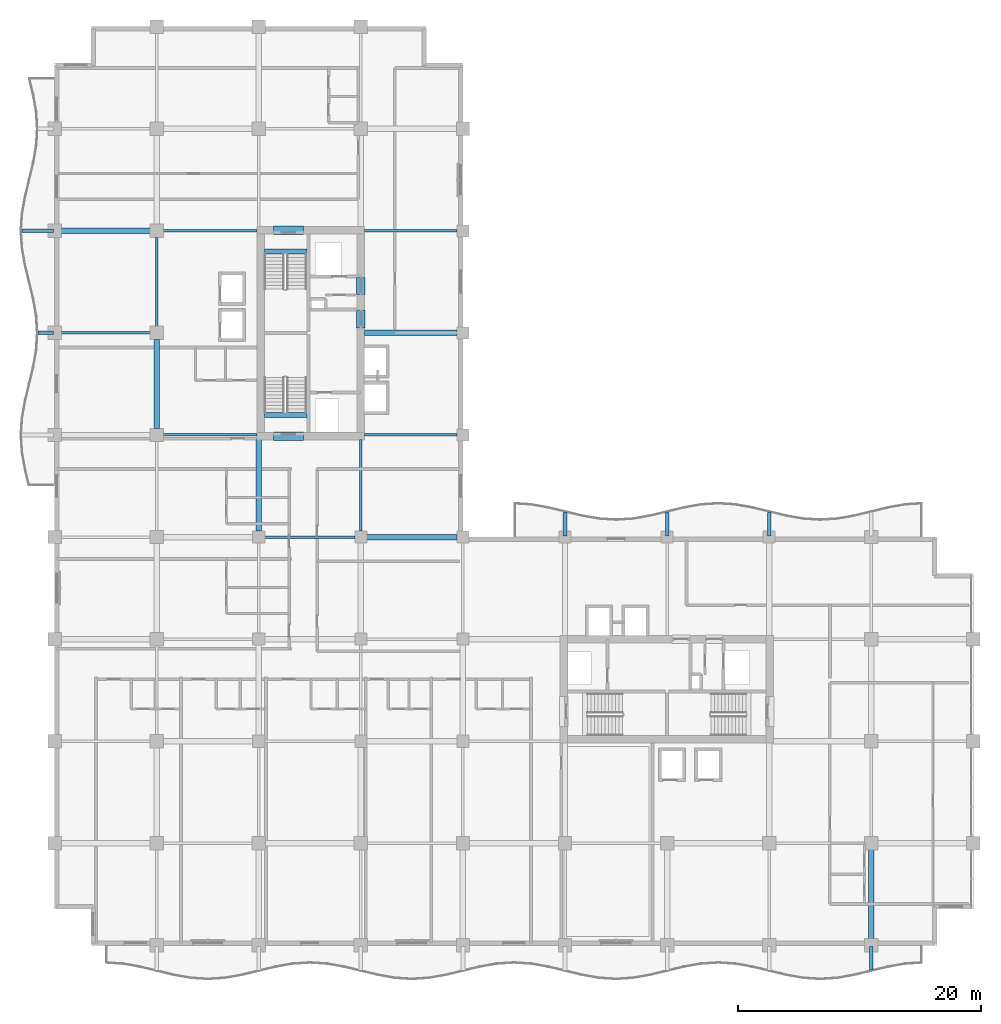
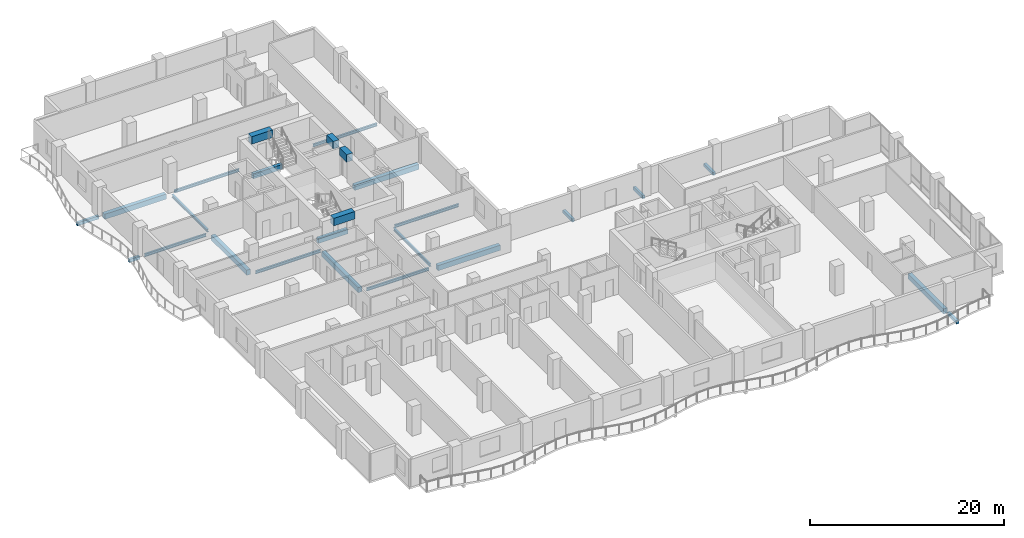
# One storey, part 2 of 21: 26 beams.
"""IFC4 building model written with IfcOpenShell, lengths in metres."""

from ifc_helpers import new_model, si_unit, direction, frame, origin, origin_2d, place, context, subcontext, project, spatial, rectangle, i_section, extrude, material, material_profile, profile_set, type_object, element, save


model = new_model("IFC4")

# Units and contexts
model_context = context("Model", 3, precision=1e-05, world=origin(), true_north=direction((0.0, 1.0)))
body_context = subcontext(model_context, "Body", "Model", "MODEL_VIEW")
ifc_project = project(units=[si_unit("LENGTHUNIT", "METRE"), si_unit("AREAUNIT", "SQUARE_METRE"), si_unit("VOLUMEUNIT", "CUBIC_METRE"), si_unit("PLANEANGLEUNIT", "RADIAN"), si_unit("MASSUNIT", "GRAM", prefix="KILO")], contexts=[model_context])

# Site, building, storey
site_placement = place(None, origin())
site = spatial("IfcSite", under=ifc_project, at=site_placement, CompositionType="ELEMENT")
building_placement = place(site_placement, origin())
building = spatial("IfcBuilding", under=site, at=building_placement, Name="Koriwani Terraces Tower", CompositionType="ELEMENT")
storey_placement = place(building_placement, frame((0.0, 0.0, 197.60009765625)))
storey = spatial("IfcBuildingStorey", under=building, at=storey_placement, Name="L48", CompositionType="ELEMENT", Elevation=197.60009765625)

# Beams
ifc_material_1 = material(Name="Concrete C40/50", Category="concrete")
ifc_material_profile_1 = material_profile(ifc_material_1, rectangle(XDim=0.300048828125, YDim=0.39990234375, at=origin_2d()), Name="Concrete C40/50", Category="LoadBearing")
ifc_profile_set_1 = profile_set([ifc_material_profile_1], Name="Concrete C40/50")
beam_type_1 = type_object("IfcBeamType", Name="BEAM_RC_BALCONY_RIB_300X400", PredefinedType="JOIST", material=ifc_profile_set_1)
beam_1_placement = place(storey_placement, frame((67.199951171875, -2.02490234375, -0.43017578125), z_axis=(0.0, 1.0, 0.0), x_axis=(-1.0, 0.0, 0.0)))
element("IfcBeam", 1, at=beam_1_placement, inside=storey, type_object=beam_type_1, Name="L48 Balcony Bracket Rib S-8", PredefinedType="JOIST", context=body_context, shape_type="SweptSolid", body=[
    extrude(rectangle(XDim=0.300048828125, YDim=0.39990234375, at=origin_2d()), origin(), (0.0, 0.0, 1.0), 1.9248046875),
])
beam_2_placement = place(storey_placement, frame((-1.35009765625, 50.39990234375, -0.43017578125), z_axis=(1.0, 0.0, 0.0), x_axis=(0.0, 1.0, 0.0)))
element("IfcBeam", 2, at=beam_2_placement, inside=storey, type_object=beam_type_1, Name="L48 Balcony Bracket Rib W-2", PredefinedType="JOIST", context=body_context, shape_type="SweptSolid", body=[
    extrude(rectangle(XDim=0.300048828125, YDim=0.39990234375, at=origin_2d()), origin(), (0.0, 0.0, 1.0), 1.25),
])
beam_3_placement = place(storey_placement, frame((-2.699951171875, 58.800048828125, -0.43017578125), z_axis=(1.0, 0.0, 0.0), x_axis=(0.0, 1.0, 0.0)))
element("IfcBeam", 3, at=beam_3_placement, inside=storey, type_object=beam_type_1, Name="L48 Balcony Bracket Rib W-3", PredefinedType="JOIST", context=body_context, shape_type="SweptSolid", body=[
    extrude(rectangle(XDim=0.300048828125, YDim=0.39990234375, at=origin_2d()), origin(), (0.0, 0.0, 1.0), 2.599853515625),
])
for number, where, z_axis, x_axis, name in (
    (4, (42.0, 33.699951171875, -0.43017578125), (0.0, 1.0, 0.0), (-1.0, 0.0, 0.0), "L48 Balcony Bracket Rib NE-1"),
    (5, (50.39990234375, 33.699951171875, -0.43017578125), (0.0, 1.0, 0.0), (-1.0, 0.0, 0.0), "L48 Balcony Bracket Rib NE-2"),
    (6, (58.800048828125, 33.699951171875, -0.43017578125), (0.0, 1.0, 0.0), (-1.0, 0.0, 0.0), "L48 Balcony Bracket Rib NE-3"),
):
    element("IfcBeam", number, at=place(storey_placement, frame(where, z_axis=z_axis, x_axis=x_axis)), inside=storey, type_object=beam_type_1, Name=name, PredefinedType="JOIST", context=body_context, shape_type="SweptSolid", body=[
        extrude(rectangle(XDim=0.300048828125, YDim=0.39990234375, at=origin_2d()), origin(), (0.0, 0.0, 1.0), 1.925048828125),
    ])
ifc_material_2 = material(Name="Concrete C60/75", Category="concrete")
ifc_material_profile_2 = material_profile(ifc_material_2, rectangle(XDim=0.699951171875, YDim=0.949951171875, at=origin_2d()), Name="Concrete C60/75", Category="LoadBearing")
ifc_profile_set_2 = profile_set([ifc_material_profile_2], Name="Concrete C60/75")
beam_type_2 = type_object("IfcBeamType", Name="BEAM_RC_COUPLING_700X950", PredefinedType="LINTEL", material=ifc_profile_set_2)
beam_4_placement = place(storey_placement, frame((25.199951171875, 50.800048828125, 2.994873046875), z_axis=(0.0, 1.0, 0.0), x_axis=(-1.0, 0.0, 0.0)))
element("IfcBeam", 7, at=beam_4_placement, inside=storey, type_object=beam_type_2, Name="L48 Core Coupling Lintel Beam WE1", PredefinedType="LINTEL", context=body_context, shape_type="SweptSolid", body=[
    extrude(rectangle(XDim=0.699951171875, YDim=0.949951171875, at=origin_2d()), origin(), (0.0, 0.0, 1.0), 1.47998046875),
])
beam_5_placement = place(storey_placement, frame((25.199951171875, 53.550048828125, 2.994873046875), z_axis=(0.0, 1.0, 0.0), x_axis=(-1.0, 0.0, 0.0)))
element("IfcBeam", 8, at=beam_5_placement, inside=storey, type_object=beam_type_2, Name="L48 Core Coupling Lintel Beam WE2", PredefinedType="LINTEL", context=body_context, shape_type="SweptSolid", body=[
    extrude(rectangle(XDim=0.699951171875, YDim=0.949951171875, at=origin_2d()), origin(), (0.0, 0.0, 1.0), 1.39990234375),
])
for number, where, z_axis, x_axis, name in (
    (9, (18.0, 41.89990234375, 2.994873046875), (1.0, 0.0, 0.0), (0.0, 1.0, 0.0), "L48 Core Coupling Lintel Beam WS"),
    (10, (18.0, 58.85009765625, 2.994873046875), (1.0, 0.0, 0.0), (0.0, 1.0, 0.0), "L48 Core Coupling Lintel Beam WN"),
):
    element("IfcBeam", number, at=place(storey_placement, frame(where, z_axis=z_axis, x_axis=x_axis)), inside=storey, type_object=beam_type_2, Name=name, PredefinedType="LINTEL", context=body_context, shape_type="SweptSolid", body=[
        extrude(rectangle(XDim=0.699951171875, YDim=0.949951171875, at=origin_2d()), origin(), (0.0, 0.0, 1.0), 2.5),
    ])
ifc_material_profile_3 = material_profile(ifc_material_1, rectangle(XDim=0.39990234375, YDim=0.60009765625, at=origin_2d()), Name="Concrete C40/50", Category="LoadBearing")
ifc_profile_set_3 = profile_set([ifc_material_profile_3], Name="Concrete C40/50")
beam_type_3 = type_object("IfcBeamType", Name="BEAM_RC_GRID_400X600", PredefinedType="BEAM", material=ifc_profile_set_3)
for number, where, z_axis, x_axis, name in (
    (11, (17.25, 43.655029296875, -0.300048828125), (1.0, 0.0, 0.0), (0.0, 1.0, 0.0), "L48 Stairwell Header Trimmer Beam ST-W1"),
    (12, (17.25, 57.094970703125, -0.300048828125), (1.0, 0.0, 0.0), (0.0, 1.0, 0.0), "L48 Stairwell Header Trimmer Beam ST-W2"),
):
    element("IfcBeam", number, at=place(storey_placement, frame(where, z_axis=z_axis, x_axis=x_axis)), inside=storey, type_object=beam_type_3, Name=name, PredefinedType="BEAM", context=body_context, shape_type="SweptSolid", body=[
        extrude(rectangle(XDim=0.39990234375, YDim=0.60009765625, at=origin_2d()), origin(), (0.0, 0.0, 1.0), 3.5),
    ])
ifc_material_3 = material(Name="Concrete C50/60", Category="concrete")
ifc_material_profile_4 = material_profile(ifc_material_3, rectangle(XDim=0.449951171875, YDim=0.64990234375, at=origin_2d()), Name="Concrete C50/60", Category="LoadBearing")
ifc_profile_set_4 = profile_set([ifc_material_profile_4], Name="Concrete C50/60")
beam_type_4 = type_object("IfcBeamType", Name="BEAM_RC_GRID_450X650", PredefinedType="BEAM", material=ifc_profile_set_4)
beam_6_placement = place(storey_placement, frame((25.679931640625, 33.60009765625, -0.55517578125), z_axis=(1.0, 0.0, 0.0), x_axis=(0.0, 1.0, 0.0)))
element("IfcBeam", 13, at=beam_6_placement, inside=storey, type_object=beam_type_4, Name="L48 Grid Beam E (25.2-33.6m)", PredefinedType="BEAM", context=body_context, shape_type="SweptSolid", body=[
    extrude(rectangle(XDim=0.449951171875, YDim=0.64990234375, at=origin_2d()), origin(), (0.0, 0.0, 1.0), 7.440185546875),
])
beam_7_placement = place(storey_placement, frame((25.47998046875, 50.39990234375, -0.55517578125), z_axis=(1.0, 0.0, 0.0), x_axis=(0.0, 1.0, 0.0)))
element("IfcBeam", 14, at=beam_7_placement, inside=storey, type_object=beam_type_4, Name="L48 Grid Beam G (25.2-33.6m)", PredefinedType="BEAM", context=body_context, shape_type="SweptSolid", body=[
    extrude(rectangle(XDim=0.449951171875, YDim=0.64990234375, at=origin_2d()), origin(), (0.0, 0.0, 1.0), 7.64013671875),
])
for number, where, z_axis, x_axis, name in (
    (15, (0.530029296875, 58.800048828125, -0.55517578125), (1.0, 0.0, 0.0), (0.0, 1.0, 0.0), "L48 Grid Beam H (0.0-8.4m)"),
    (16, (8.39990234375, 42.530029296875, -0.55517578125), (0.0, 1.0, 0.0), (-1.0, 0.0, 0.0), "L48 Grid Beam 2 (42.0-50.4m)"),
):
    element("IfcBeam", number, at=place(storey_placement, frame(where, z_axis=z_axis, x_axis=x_axis)), inside=storey, type_object=beam_type_4, Name=name, PredefinedType="BEAM", context=body_context, shape_type="SweptSolid", body=[
        extrude(rectangle(XDim=0.449951171875, YDim=0.64990234375, at=origin_2d()), origin(), (0.0, 0.0, 1.0), 7.340087890625),
    ])
beam_8_placement = place(storey_placement, frame((16.800048828125, 34.080078125, -0.55517578125), z_axis=(0.0, 1.0, 0.0), x_axis=(-1.0, 0.0, 0.0)))
element("IfcBeam", 17, at=beam_8_placement, inside=storey, type_object=beam_type_4, Name="L48 Grid Beam 3 (33.6-42.0m)", PredefinedType="BEAM", context=body_context, shape_type="SweptSolid", body=[
    extrude(rectangle(XDim=0.449951171875, YDim=0.64990234375, at=origin_2d()), origin(), (0.0, 0.0, 1.0), 7.5400390625),
])
beam_9_placement = place(storey_placement, frame((67.199951171875, 0.530029296875, -0.55517578125), z_axis=(0.0, 1.0, 0.0), x_axis=(-1.0, 0.0, 0.0)))
element("IfcBeam", 18, at=beam_9_placement, inside=storey, type_object=beam_type_4, Name="L48 Grid Beam 9 (0.0-8.4m)", PredefinedType="BEAM", context=body_context, shape_type="SweptSolid", body=[
    extrude(rectangle(XDim=0.449951171875, YDim=0.64990234375, at=origin_2d()), origin(), (0.0, 0.0, 1.0), 7.340087890625),
])
ifc_material_4 = material(Name="Steel ASTM A572 Grade 50", Category="steel")
ifc_material_profile_5 = material_profile(ifc_material_4, i_section(OverallWidth=0.205078125, OverallDepth=0.35400390625, WebThickness=0.009521484375, FlangeThickness=0.016845703125, at=origin_2d()), Name="Steel ASTM A572 Grade 50", Category="LoadBearing")
ifc_profile_set_5 = profile_set([ifc_material_profile_5], Name="Steel ASTM A572 Grade 50")
beam_type_5 = type_object("IfcBeamType", Name="STEEL_BEAM_W360X79", PredefinedType="JOIST", material=ifc_profile_set_5)
beam_10_placement = place(storey_placement, frame((17.280029296875, 33.60009765625, -0.406982421875), z_axis=(1.0, 0.0, 0.0), x_axis=(0.0, 1.0, 0.0)))
element("IfcBeam", 19, at=beam_10_placement, inside=storey, type_object=beam_type_5, Name="L48 Grid Beam E (16.8-25.2m)", PredefinedType="JOIST", context=body_context, shape_type="SweptSolid", body=[
    extrude(i_section(OverallWidth=0.205078125, OverallDepth=0.35400390625, WebThickness=0.009521484375, FlangeThickness=0.016845703125, at=origin_2d()), origin(), (0.0, 0.0, 1.0), 7.43994140625),
])
beam_11_placement = place(storey_placement, frame((8.929931640625, 42.0, -0.406982421875), z_axis=(1.0, 0.0, 0.0), x_axis=(0.0, 1.0, 0.0)))
element("IfcBeam", 20, at=beam_11_placement, inside=storey, type_object=beam_type_5, Name="L48 Grid Beam F (8.4-16.8m)", PredefinedType="JOIST", context=body_context, shape_type="SweptSolid", body=[
    extrude(i_section(OverallWidth=0.205078125, OverallDepth=0.35400390625, WebThickness=0.009521484375, FlangeThickness=0.016845703125, at=origin_2d()), origin(), (0.0, 0.0, 1.0), 7.739990234375),
])
beam_12_placement = place(storey_placement, frame((25.47998046875, 42.0, -0.406982421875), z_axis=(1.0, 0.0, 0.0), x_axis=(0.0, 1.0, 0.0)))
element("IfcBeam", 21, at=beam_12_placement, inside=storey, type_object=beam_type_5, Name="L48 Grid Beam F (25.2-33.6m)", PredefinedType="JOIST", context=body_context, shape_type="SweptSolid", body=[
    extrude(i_section(OverallWidth=0.205078125, OverallDepth=0.35400390625, WebThickness=0.009521484375, FlangeThickness=0.016845703125, at=origin_2d()), origin(), (0.0, 0.0, 1.0), 7.64013671875),
])
beam_13_placement = place(storey_placement, frame((0.530029296875, 50.39990234375, -0.406982421875), z_axis=(1.0, 0.0, 0.0), x_axis=(0.0, 1.0, 0.0)))
element("IfcBeam", 22, at=beam_13_placement, inside=storey, type_object=beam_type_5, Name="L48 Grid Beam G (0.0-8.4m)", PredefinedType="JOIST", context=body_context, shape_type="SweptSolid", body=[
    extrude(i_section(OverallWidth=0.205078125, OverallDepth=0.35400390625, WebThickness=0.009521484375, FlangeThickness=0.016845703125, at=origin_2d()), origin(), (0.0, 0.0, 1.0), 7.340087890625),
])
beam_14_placement = place(storey_placement, frame((8.929931640625, 58.800048828125, -0.406982421875), z_axis=(1.0, 0.0, 0.0), x_axis=(0.0, 1.0, 0.0)))
element("IfcBeam", 23, at=beam_14_placement, inside=storey, type_object=beam_type_5, Name="L48 Grid Beam H (8.4-16.8m)", PredefinedType="JOIST", context=body_context, shape_type="SweptSolid", body=[
    extrude(i_section(OverallWidth=0.205078125, OverallDepth=0.35400390625, WebThickness=0.009521484375, FlangeThickness=0.016845703125, at=origin_2d()), origin(), (0.0, 0.0, 1.0), 7.739990234375),
])
beam_15_placement = place(storey_placement, frame((25.47998046875, 58.800048828125, -0.406982421875), z_axis=(1.0, 0.0, 0.0), x_axis=(0.0, 1.0, 0.0)))
element("IfcBeam", 24, at=beam_15_placement, inside=storey, type_object=beam_type_5, Name="L48 Grid Beam H (25.2-33.6m)", PredefinedType="JOIST", context=body_context, shape_type="SweptSolid", body=[
    extrude(i_section(OverallWidth=0.205078125, OverallDepth=0.35400390625, WebThickness=0.009521484375, FlangeThickness=0.016845703125, at=origin_2d()), origin(), (0.0, 0.0, 1.0), 7.64013671875),
])
beam_16_placement = place(storey_placement, frame((8.39990234375, 50.929931640625, -0.406982421875), z_axis=(0.0, 1.0, 0.0), x_axis=(-1.0, 0.0, 0.0)))
element("IfcBeam", 25, at=beam_16_placement, inside=storey, type_object=beam_type_5, Name="L48 Grid Beam 2 (50.4-58.8m)", PredefinedType="JOIST", context=body_context, shape_type="SweptSolid", body=[
    extrude(i_section(OverallWidth=0.205078125, OverallDepth=0.35400390625, WebThickness=0.009521484375, FlangeThickness=0.016845703125, at=origin_2d()), origin(), (0.0, 0.0, 1.0), 7.340087890625),
])
beam_17_placement = place(storey_placement, frame((25.199951171875, 34.080078125, -0.406982421875), z_axis=(0.0, 1.0, 0.0), x_axis=(-1.0, 0.0, 0.0)))
element("IfcBeam", 26, at=beam_17_placement, inside=storey, type_object=beam_type_5, Name="L48 Grid Beam 4 (33.6-42.0m)", PredefinedType="JOIST", context=body_context, shape_type="SweptSolid", body=[
    extrude(i_section(OverallWidth=0.205078125, OverallDepth=0.35400390625, WebThickness=0.009521484375, FlangeThickness=0.016845703125, at=origin_2d()), origin(), (0.0, 0.0, 1.0), 7.5400390625),
])

save(model, "model.ifc")
